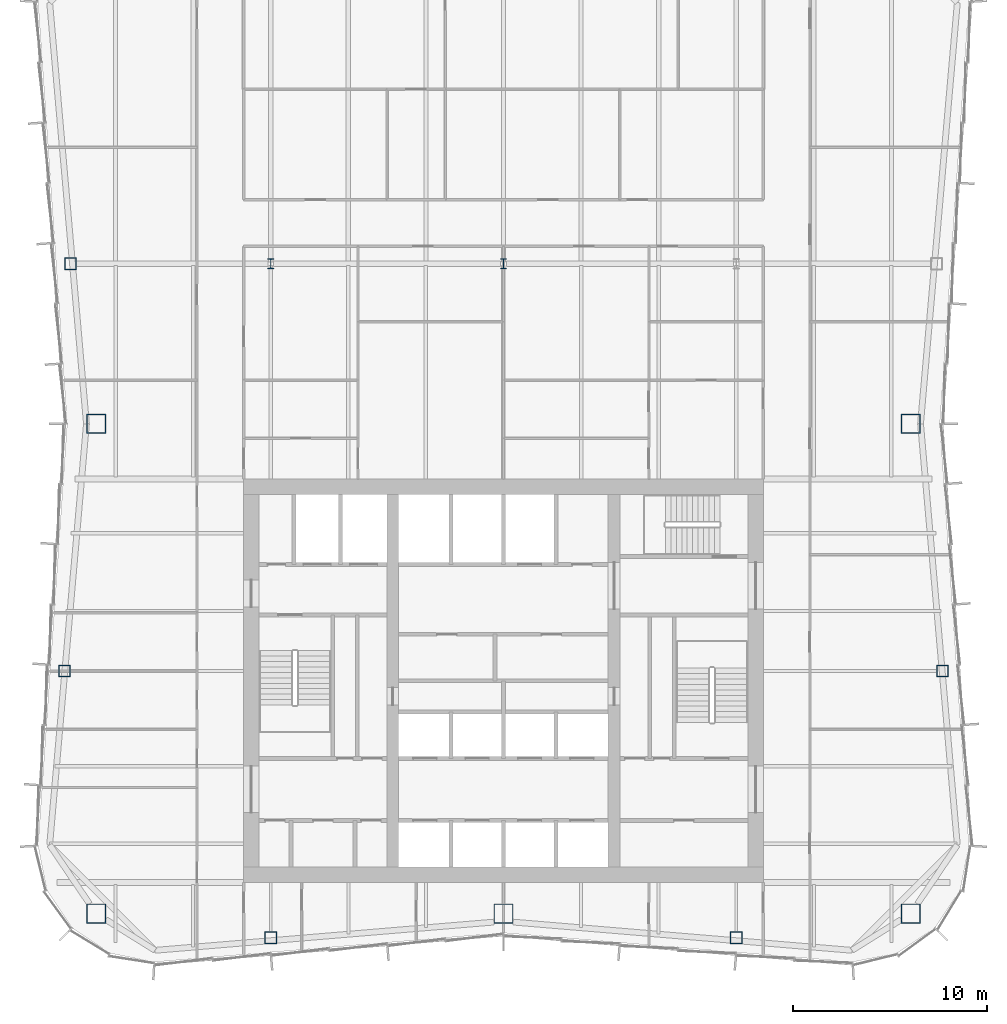
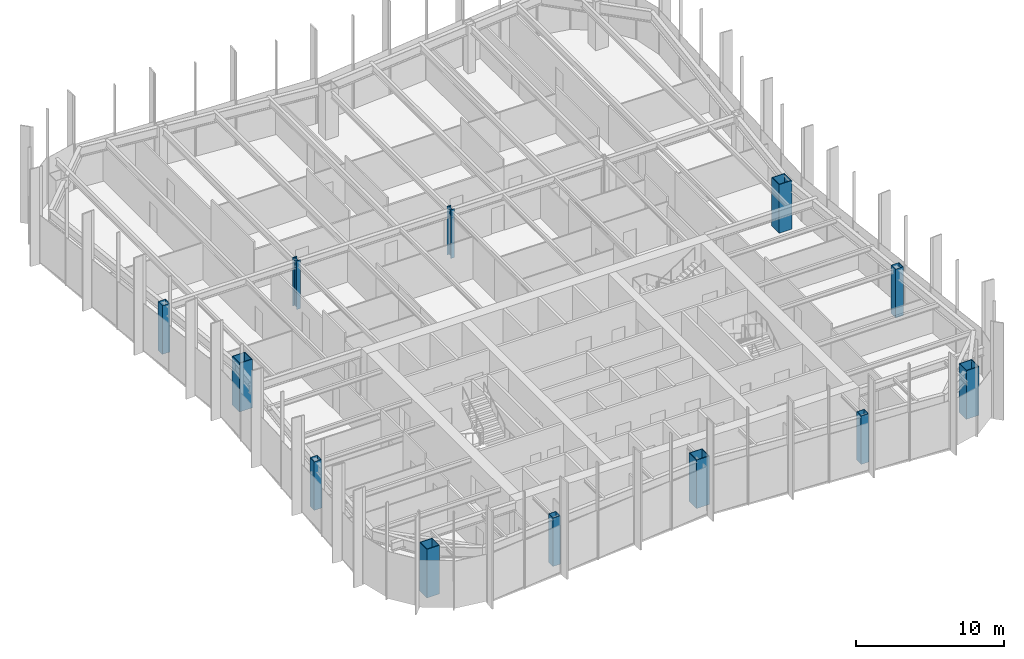
# One storey, part 1 of 15: 12 columns.
"""IFC4 building model written with IfcOpenShell, lengths in metres."""

from ifc_helpers import new_model, si_unit, direction, frame, origin, origin_2d, place, context, subcontext, project, spatial, hollow_rectangle, i_section, extrude, material, material_profile, profile_set, type_object, element, save


model = new_model("IFC4")

# Units and contexts
model_context = context("Model", 3, precision=1e-05, world=origin(), true_north=direction((0.0, 1.0)))
body_context = subcontext(model_context, "Body", "Model", "MODEL_VIEW")
ifc_project = project(units=[si_unit("LENGTHUNIT", "METRE"), si_unit("AREAUNIT", "SQUARE_METRE"), si_unit("VOLUMEUNIT", "CUBIC_METRE"), si_unit("PLANEANGLEUNIT", "RADIAN"), si_unit("MASSUNIT", "GRAM", prefix="KILO")], contexts=[model_context])

# Site, building, storey
site_placement = place(None, origin())
site = spatial("IfcSite", under=ifc_project, at=site_placement, CompositionType="ELEMENT")
building_placement = place(site_placement, origin())
building = spatial("IfcBuilding", under=site, at=building_placement, Name="Verdant Reach Tower", CompositionType="ELEMENT")
storey_placement = place(building_placement, frame((0.0, 0.0, 274.0)))
storey = spatial("IfcBuildingStorey", under=building, at=storey_placement, Name="L63", CompositionType="ELEMENT", Elevation=274.0)

# Columns
ifc_material = material(Name="Steel S460", Category="steel")
ifc_material_profile_1 = material_profile(ifc_material, i_section(OverallWidth=0.305908203125, OverallDepth=0.52392578125, WebThickness=0.012451171875, FlangeThickness=0.0400390625, FilletRadius=0.027099609375, at=origin_2d()), Name="HEM 500")
ifc_profile_set_1 = profile_set([ifc_material_profile_1], Name="Steel S460")
column_type_1 = type_object("IfcColumnType", Name="ST-COL-HEM500", PredefinedType="COLUMN", material=ifc_profile_set_1)
for number, where, z_axis, x_axis, name in (
    (1, (-12.0, 49.5, 0.0), (0.0, 0.0, 1.0), (1.0, 0.0, 0.0), "Interior column 1, L63"),
    (2, (0.0, 49.5, 0.0), (0.0, 0.0, 1.0), (1.0, 0.0, 0.0), "Interior column 2, L63"),
):
    element("IfcColumn", number, at=place(storey_placement, frame(where, z_axis=z_axis, x_axis=x_axis)), inside=storey, type_object=column_type_1, Name=name, PredefinedType="COLUMN", context=body_context, shape_type="SweptSolid", body=[
        extrude(i_section(OverallWidth=0.305908203125, OverallDepth=0.52392578125, WebThickness=0.012451171875, FlangeThickness=0.0400390625, FilletRadius=0.027099609375, at=origin_2d()), origin(), (0.0, 0.0, 1.0), 4.0),
    ])
ifc_material_profile_2 = material_profile(ifc_material, hollow_rectangle(XDim=1.0, YDim=1.0, WallThickness=0.044921875, at=origin_2d()), Name="WB 1000x1000x45")
ifc_profile_set_2 = profile_set([ifc_material_profile_2], Name="Steel S460")
column_type_2 = type_object("IfcColumnType", Name="ST-COL-WB1000x1000x45", PredefinedType="COLUMN", material=ifc_profile_set_2)
for number, where, z_axis, x_axis, name in (
    (3, (21.0, 41.25, 0.0), (0.0, 0.0, 1.0), (1.0, 0.0, 0.0), "Mega column east, L63"),
    (4, (21.0, 16.0, 0.0), (0.0, 0.0, 1.0), (1.0, 0.0, 0.0), "Mega column south-east, L63"),
    (5, (0.0, 16.0, 0.0), (0.0, 0.0, 1.0), (1.0, 0.0, 0.0), "Mega column south, L63"),
    (6, (-21.0, 16.0, 0.0), (0.0, 0.0, 1.0), (1.0, 0.0, 0.0), "Mega column south-west, L63"),
    (7, (-21.0, 41.25, 0.0), (0.0, 0.0, 1.0), (1.0, 0.0, 0.0), "Mega column west, L63"),
):
    element("IfcColumn", number, at=place(storey_placement, frame(where, z_axis=z_axis, x_axis=x_axis)), inside=storey, type_object=column_type_2, Name=name, PredefinedType="COLUMN", context=body_context, shape_type="SweptSolid", body=[
        extrude(hollow_rectangle(XDim=1.0, YDim=1.0, WallThickness=0.044921875, at=origin_2d()), origin(), (0.0, 0.0, 1.0), 4.0),
    ])
ifc_material_profile_3 = material_profile(ifc_material, hollow_rectangle(XDim=0.60009765625, YDim=0.60009765625, WallThickness=0.02490234375, at=origin_2d()), Name="WB 600x600x25")
ifc_profile_set_3 = profile_set([ifc_material_profile_3], Name="Steel S460")
column_type_3 = type_object("IfcColumnType", Name="ST-COL-WB600x600x25", PredefinedType="COLUMN", material=ifc_profile_set_3)
for number, where, z_axis, x_axis, name in (
    (8, (-12.0, 14.75, 0.0), (0.0, 0.0, 1.0), (1.0, 0.0, 0.0), "Perimeter column south 1, L63"),
    (9, (12.0, 14.75, 0.0), (0.0, 0.0, 1.0), (1.0, 0.0, 0.0), "Perimeter column south 2, L63"),
    (10, (22.62939453125, 28.5, 0.0), (0.0, 0.0, 1.0), (1.0, 0.0, 0.0), "Perimeter column east 1, L63"),
    (11, (-22.62939453125, 28.5, 0.0), (0.0, 0.0, 1.0), (1.0, 0.0, 0.0), "Perimeter column west 1, L63"),
    (12, (-22.319091796875, 49.5, 0.0), (0.0, 0.0, 1.0), (1.0, 0.0, 0.0), "Perimeter column west 2, L63"),
):
    element("IfcColumn", number, at=place(storey_placement, frame(where, z_axis=z_axis, x_axis=x_axis)), inside=storey, type_object=column_type_3, Name=name, PredefinedType="COLUMN", context=body_context, shape_type="SweptSolid", body=[
        extrude(hollow_rectangle(XDim=0.60009765625, YDim=0.60009765625, WallThickness=0.02490234375, at=origin_2d()), origin(), (0.0, 0.0, 1.0), 4.0),
    ])

save(model, "model.ifc")
